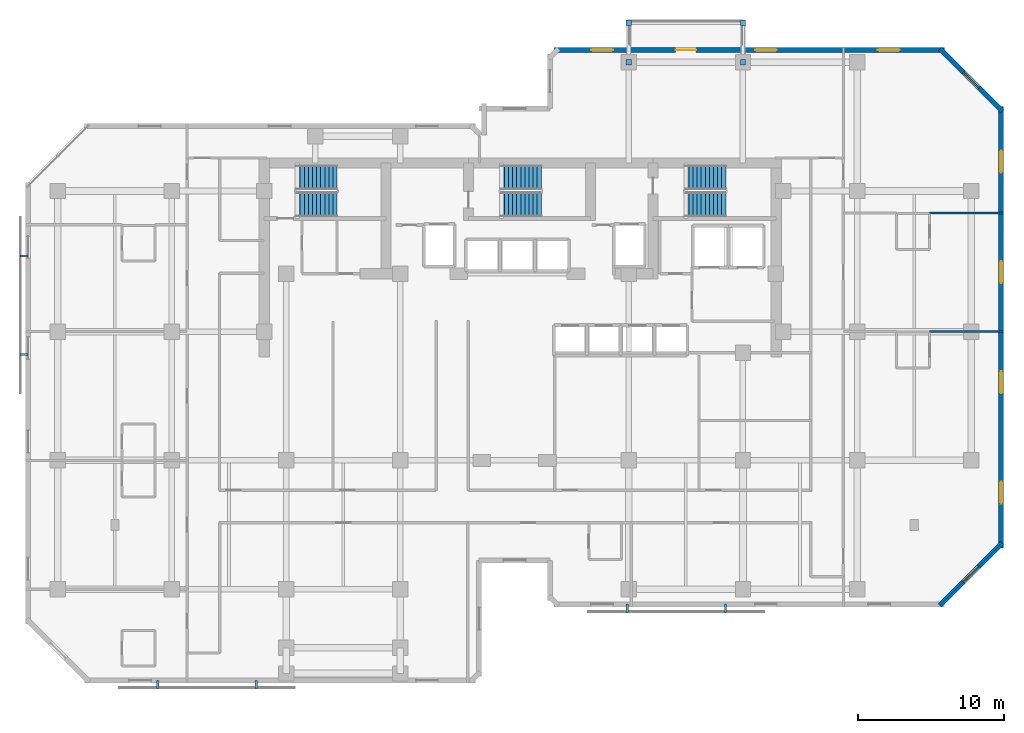
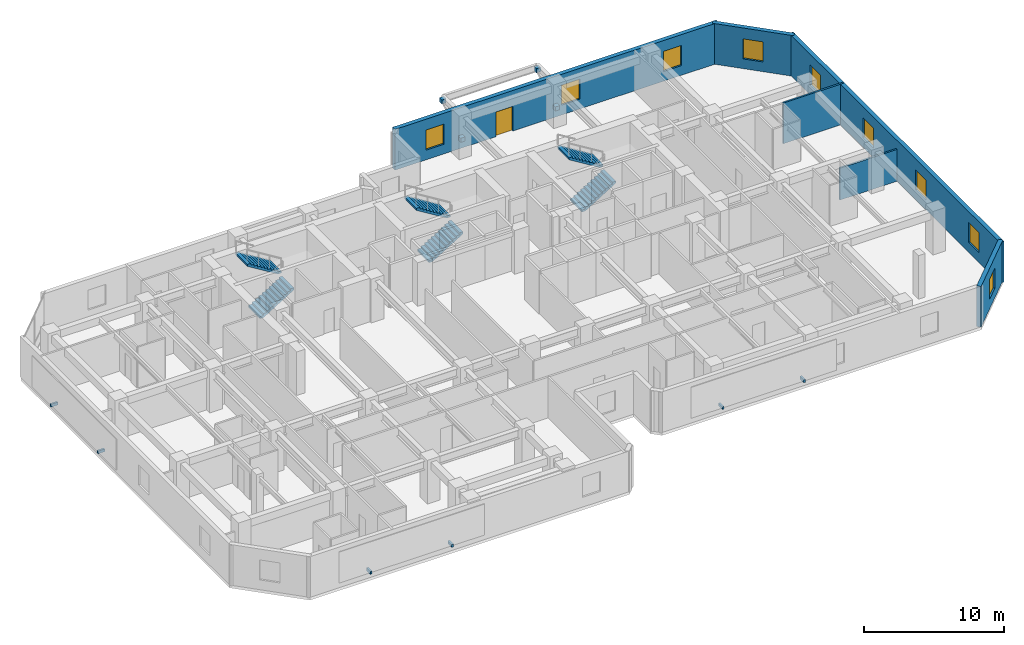
# One storey, part 8 of 10: 10 discrete accessories, 9 windows, 6 stair flights, 6 walls, 1 door, 10 openings, 3 elements without a shape of their own.
"""IFC4 building model written with IfcOpenShell, lengths in metres."""

from ifc_helpers import new_model, si_unit, direction, frame, frame_2d, origin, origin_2d, place, context, subcontext, project, spatial, polyline, rectangle, outline, extrude, material, layer, layer_set, type_object, element, fill, aggregate, save


model = new_model("IFC4")

# Units and contexts
model_context = context("Model", 3, precision=1e-05, world=origin(), true_north=direction((0.0, 1.0)))
body_context = subcontext(model_context, "Body", "Model", "MODEL_VIEW")
ifc_project = project(units=[si_unit("LENGTHUNIT", "METRE"), si_unit("AREAUNIT", "SQUARE_METRE"), si_unit("VOLUMEUNIT", "CUBIC_METRE"), si_unit("PLANEANGLEUNIT", "RADIAN"), si_unit("MASSUNIT", "GRAM", prefix="KILO")], contexts=[model_context])

# Site, building, storey
site_placement = place(None, origin())
site = spatial("IfcSite", under=ifc_project, at=site_placement, CompositionType="ELEMENT")
building_placement = place(site_placement, origin())
building = spatial("IfcBuilding", under=site, at=building_placement, Name="Kestravale Grand Hotel", CompositionType="ELEMENT")
storey_placement = place(building_placement, frame((0.0, 0.0, 149.800048828125)))
storey = spatial("IfcBuildingStorey", under=building, at=storey_placement, Name="L37", CompositionType="ELEMENT", Elevation=149.800048828125)

# Wall, opening, window
ifc_material_1 = material(Name="Precast concrete f'c 45 MPa", Category="concrete")
ifc_layer_1 = layer(ifc_material_1, 0.340087890625)
ifc_layer_set_1 = layer_set([ifc_layer_1], Name="EW-PREC-340")
wall_type_1 = type_object("IfcWallType", Name="EW-PREC-340", PredefinedType="SOLIDWALL", material=ifc_layer_set_1)
wall_1_placement = place(storey_placement, frame((68.051513671875, 10.091796875, 0.0), z_axis=(0.0, 0.0, 1.0), x_axis=(0.707106781187, 0.707106781187, 0.0)))
wall_1 = element("IfcWall", 1, at=wall_1_placement, inside=storey, type_object=wall_type_1, Name="L37 fluted precast facade wall 8", PredefinedType="SOLIDWALL", context=body_context, shape_type="SweptSolid", body=[
    extrude(rectangle(XDim=6.019775390625, YDim=0.340087890625, at=frame_2d((3.009765625, 0.0))), origin(), (0.0, 0.0, 1.0), 3.550048828125),
])
opening_1_placement = place(wall_1_placement, frame((2.260009765625, 0.0, 0.85009765625)))
opening_1 = element("IfcOpeningElement", 2, at=opening_1_placement, cuts=wall_1, Name="Opening W-GUEST-1500", PredefinedType="OPENING", context=body_context, shape_type="SweptSolid", body=[
    extrude(rectangle(XDim=1.5, YDim=1.75, at=frame_2d((0.75, 0.875))), frame((0.0, 0.179931640625, 0.0), z_axis=(0.0, -1.0, 0.0), x_axis=(1.0, 0.0, 0.0)), (0.0, 0.0, 1.0), 0.360107421875),
])
ifc_material_2 = material(Name="Insulated low-E double glazing in aluminium frame", Category="aluminium")
window_type = type_object("IfcWindowType", Name="W-GUEST-1500", PartitioningType="SINGLE_PANEL", PredefinedType="WINDOW", material=ifc_material_2)
window_1_placement = place(opening_1_placement, origin())
window_1 = element("IfcWindow", 3, at=window_1_placement, inside=storey, type_object=window_type, Name="L37 exterior window 8.1", OverallHeight=1.75, OverallWidth=1.5, PartitioningType="SINGLE_PANEL", PredefinedType="WINDOW", context=body_context, shape_type="SweptSolid", body=[
    extrude(rectangle(XDim=1.5, YDim=1.75, at=frame_2d((0.75, 0.875))), frame((0.0, 0.030029296875, 0.0), z_axis=(0.0, -1.0, 0.0), x_axis=(1.0, 0.0, 0.0)), (0.0, 0.0, 1.0), 0.06005859375),
])
fill(opening_1, window_1)

# Wall, openings, windows
wall_2_placement = place(storey_placement, frame((72.22998046875, 14.030029296875, 0.0), z_axis=(0.0, 0.0, 1.0), x_axis=(0.0, 1.0, 0.0)))
wall_2 = element("IfcWall", 4, at=wall_2_placement, inside=storey, type_object=wall_type_1, Name="L37 fluted precast facade wall 9", PredefinedType="SOLIDWALL", context=body_context, shape_type="SweptSolid", body=[
    extrude(rectangle(XDim=30.139892578125, YDim=0.340087890625, at=frame_2d((15.06982421875, 0.0))), origin(), (0.0, 0.0, 1.0), 3.550048828125),
])
opening_2_placement = place(wall_2_placement, frame((3.017578125, 0.0, 0.85009765625)))
opening_2 = element("IfcOpeningElement", 5, at=opening_2_placement, cuts=wall_2, Name="Opening W-GUEST-1500", PredefinedType="OPENING", context=body_context, shape_type="SweptSolid", body=[
    extrude(rectangle(XDim=1.5, YDim=1.75, at=frame_2d((0.75, 0.875))), frame((0.0, 0.179931640625, 0.0), z_axis=(0.0, -1.0, 0.0), x_axis=(1.0, 0.0, 0.0)), (0.0, 0.0, 1.0), 0.360107421875),
])
opening_3_placement = place(wall_2_placement, frame((10.552490234375, 0.0, 0.85009765625)))
opening_3 = element("IfcOpeningElement", 6, at=opening_3_placement, cuts=wall_2, Name="Opening W-GUEST-1500", PredefinedType="OPENING", context=body_context, shape_type="SweptSolid", body=[
    extrude(rectangle(XDim=1.5, YDim=1.75, at=frame_2d((0.75, 0.875))), frame((0.0, 0.179931640625, 0.0), z_axis=(0.0, -1.0, 0.0), x_axis=(1.0, 0.0, 0.0)), (0.0, 0.0, 1.0), 0.360107421875),
])
opening_4_placement = place(wall_2_placement, frame((18.08740234375, 0.0, 0.85009765625)))
opening_4 = element("IfcOpeningElement", 7, at=opening_4_placement, cuts=wall_2, Name="Opening W-GUEST-1500", PredefinedType="OPENING", context=body_context, shape_type="SweptSolid", body=[
    extrude(rectangle(XDim=1.5, YDim=1.75, at=frame_2d((0.75, 0.875))), frame((0.0, 0.179931640625, 0.0), z_axis=(0.0, -1.0, 0.0), x_axis=(1.0, 0.0, 0.0)), (0.0, 0.0, 1.0), 0.360107421875),
])
opening_5_placement = place(wall_2_placement, frame((25.62255859375, 0.0, 0.85009765625)))
opening_5 = element("IfcOpeningElement", 8, at=opening_5_placement, cuts=wall_2, Name="Opening W-GUEST-1500", PredefinedType="OPENING", context=body_context, shape_type="SweptSolid", body=[
    extrude(rectangle(XDim=1.5, YDim=1.75, at=frame_2d((0.75, 0.875))), frame((0.0, 0.179931640625, 0.0), z_axis=(0.0, -1.0, 0.0), x_axis=(1.0, 0.0, 0.0)), (0.0, 0.0, 1.0), 0.360107421875),
])
window_2_placement = place(opening_2_placement, origin())
window_2 = element("IfcWindow", 9, at=window_2_placement, inside=storey, type_object=window_type, Name="L37 exterior window 9.1", OverallHeight=1.75, OverallWidth=1.5, PartitioningType="SINGLE_PANEL", PredefinedType="WINDOW", context=body_context, shape_type="SweptSolid", body=[
    extrude(rectangle(XDim=1.5, YDim=1.75, at=frame_2d((0.75, 0.875))), frame((0.0, 0.030029296875, 0.0), z_axis=(0.0, -1.0, 0.0), x_axis=(1.0, 0.0, 0.0)), (0.0, 0.0, 1.0), 0.06005859375),
])
fill(opening_2, window_2)
window_3_placement = place(opening_3_placement, origin())
window_3 = element("IfcWindow", 10, at=window_3_placement, inside=storey, type_object=window_type, Name="L37 exterior window 9.2", OverallHeight=1.75, OverallWidth=1.5, PartitioningType="SINGLE_PANEL", PredefinedType="WINDOW", context=body_context, shape_type="SweptSolid", body=[
    extrude(rectangle(XDim=1.5, YDim=1.75, at=frame_2d((0.75, 0.875))), frame((0.0, 0.030029296875, 0.0), z_axis=(0.0, -1.0, 0.0), x_axis=(1.0, 0.0, 0.0)), (0.0, 0.0, 1.0), 0.06005859375),
])
fill(opening_3, window_3)
window_4_placement = place(opening_4_placement, origin())
window_4 = element("IfcWindow", 11, at=window_4_placement, inside=storey, type_object=window_type, Name="L37 exterior window 9.3", OverallHeight=1.75, OverallWidth=1.5, PartitioningType="SINGLE_PANEL", PredefinedType="WINDOW", context=body_context, shape_type="SweptSolid", body=[
    extrude(rectangle(XDim=1.5, YDim=1.75, at=frame_2d((0.75, 0.875))), frame((0.0, 0.030029296875, 0.0), z_axis=(0.0, -1.0, 0.0), x_axis=(1.0, 0.0, 0.0)), (0.0, 0.0, 1.0), 0.06005859375),
])
fill(opening_4, window_4)
window_5_placement = place(opening_5_placement, origin())
window_5 = element("IfcWindow", 12, at=window_5_placement, inside=storey, type_object=window_type, Name="L37 exterior window 9.4", OverallHeight=1.75, OverallWidth=1.5, PartitioningType="SINGLE_PANEL", PredefinedType="WINDOW", context=body_context, shape_type="SweptSolid", body=[
    extrude(rectangle(XDim=1.5, YDim=1.75, at=frame_2d((0.75, 0.875))), frame((0.0, 0.030029296875, 0.0), z_axis=(0.0, -1.0, 0.0), x_axis=(1.0, 0.0, 0.0)), (0.0, 0.0, 1.0), 0.06005859375),
])
fill(opening_5, window_5)

# Wall, opening, window
wall_3_placement = place(storey_placement, frame((72.30810546875, 43.8515625, 0.0), z_axis=(0.0, 0.0, 1.0), x_axis=(-0.707106781187, 0.707106781187, 0.0)))
wall_3 = element("IfcWall", 13, at=wall_3_placement, inside=storey, type_object=wall_type_1, Name="L37 fluted precast facade wall 10", PredefinedType="SOLIDWALL", context=body_context, shape_type="SweptSolid", body=[
    extrude(rectangle(XDim=6.019775390625, YDim=0.340087890625, at=frame_2d((3.009765625, 0.0))), origin(), (0.0, 0.0, 1.0), 3.550048828125),
])
opening_6_placement = place(wall_3_placement, frame((2.260009765625, 0.0, 0.85009765625)))
opening_6 = element("IfcOpeningElement", 14, at=opening_6_placement, cuts=wall_3, Name="Opening W-GUEST-1500", PredefinedType="OPENING", context=body_context, shape_type="SweptSolid", body=[
    extrude(rectangle(XDim=1.5, YDim=1.75, at=frame_2d((0.75, 0.875))), frame((0.0, 0.179931640625, 0.0), z_axis=(0.0, -1.0, 0.0), x_axis=(1.0, 0.0, 0.0)), (0.0, 0.0, 1.0), 0.360107421875),
])
window_6_placement = place(opening_6_placement, origin())
window_6 = element("IfcWindow", 15, at=window_6_placement, inside=storey, type_object=window_type, Name="L37 exterior window 10.1", OverallHeight=1.75, OverallWidth=1.5, PartitioningType="SINGLE_PANEL", PredefinedType="WINDOW", context=body_context, shape_type="SweptSolid", body=[
    extrude(rectangle(XDim=1.5, YDim=1.75, at=frame_2d((0.75, 0.875))), frame((0.0, 0.030029296875, 0.0), z_axis=(0.0, -1.0, 0.0), x_axis=(1.0, 0.0, 0.0)), (0.0, 0.0, 1.0), 0.06005859375),
])
fill(opening_6, window_6)

# Wall, openings, door, windows
wall_4_placement = place(storey_placement, frame((68.3701171875, 48.030029296875, 0.0), z_axis=(0.0, 0.0, 1.0), x_axis=(-1.0, 0.0, 0.0)))
wall_4 = element("IfcWall", 16, at=wall_4_placement, inside=storey, type_object=wall_type_1, Name="L37 fluted precast facade wall 11", PredefinedType="SOLIDWALL", context=body_context, shape_type="SweptSolid", body=[
    extrude(rectangle(XDim=26.690185546875, YDim=0.340087890625, at=frame_2d((13.34521484375, 0.0))), origin(), (0.0, 0.0, 1.0), 3.550048828125),
])
opening_7_placement = place(wall_4_placement, frame((16.969970703125, 0.0, 0.0)))
opening_7 = element("IfcOpeningElement", 17, at=opening_7_placement, cuts=wall_4, Name="Opening D-TERR-1400", PredefinedType="OPENING", context=body_context, shape_type="SweptSolid", body=[
    extrude(rectangle(XDim=1.39990234375, YDim=2.14990234375, at=frame_2d((0.699951171875, 1.074951171875))), frame((0.0, 0.179931640625, 0.0), z_axis=(0.0, -1.0, 0.0), x_axis=(1.0, 0.0, 0.0)), (0.0, 0.0, 1.0), 0.360107421875),
])
opening_8_placement = place(wall_4_placement, frame((3.04833984375, 0.0, 0.85009765625)))
opening_8 = element("IfcOpeningElement", 18, at=opening_8_placement, cuts=wall_4, Name="Opening W-GUEST-1500", PredefinedType="OPENING", context=body_context, shape_type="SweptSolid", body=[
    extrude(rectangle(XDim=1.5, YDim=1.75, at=frame_2d((0.75, 0.875))), frame((0.0, 0.179931640625, 0.0), z_axis=(0.0, -1.0, 0.0), x_axis=(1.0, 0.0, 0.0)), (0.0, 0.0, 1.0), 0.360107421875),
])
opening_9_placement = place(wall_4_placement, frame((11.445068359375, 0.0, 0.85009765625)))
opening_9 = element("IfcOpeningElement", 19, at=opening_9_placement, cuts=wall_4, Name="Opening W-GUEST-1500", PredefinedType="OPENING", context=body_context, shape_type="SweptSolid", body=[
    extrude(rectangle(XDim=1.5, YDim=1.75, at=frame_2d((0.75, 0.875))), frame((0.0, 0.179931640625, 0.0), z_axis=(0.0, -1.0, 0.0), x_axis=(1.0, 0.0, 0.0)), (0.0, 0.0, 1.0), 0.360107421875),
])
opening_10_placement = place(wall_4_placement, frame((22.6416015625, 0.0, 0.85009765625)))
opening_10 = element("IfcOpeningElement", 20, at=opening_10_placement, cuts=wall_4, Name="Opening W-GUEST-1500", PredefinedType="OPENING", context=body_context, shape_type="SweptSolid", body=[
    extrude(rectangle(XDim=1.5, YDim=1.75, at=frame_2d((0.75, 0.875))), frame((0.0, 0.179931640625, 0.0), z_axis=(0.0, -1.0, 0.0), x_axis=(1.0, 0.0, 0.0)), (0.0, 0.0, 1.0), 0.360107421875),
])
ifc_material_3 = material(Name="Insulated glazed champagne-bronze aluminium door", Category="aluminium")
door_type = type_object("IfcDoorType", Name="D-TERR-1400", OperationType="NOTDEFINED", PredefinedType="DOOR", material=ifc_material_3)
door_placement = place(opening_7_placement, origin())
door = element("IfcDoor", 21, at=door_placement, inside=storey, type_object=door_type, Name="L37 outdoor garden terrace door", OperationType="DOUBLE_DOOR_SINGLE_SWING", OverallHeight=2.14990234375, OverallWidth=1.39990234375, PredefinedType="DOOR", context=body_context, shape_type="SweptSolid", body=[
    extrude(rectangle(XDim=1.39990234375, YDim=2.14990234375, at=frame_2d((0.699951171875, 1.074951171875))), frame((0.0, 0.02490234375, 0.0), z_axis=(0.0, -1.0, 0.0), x_axis=(1.0, 0.0, 0.0)), (0.0, 0.0, 1.0), 0.050048828125),
])
fill(opening_7, door)
window_7_placement = place(opening_8_placement, origin())
window_7 = element("IfcWindow", 22, at=window_7_placement, inside=storey, type_object=window_type, Name="L37 exterior window 11.1", OverallHeight=1.75, OverallWidth=1.5, PartitioningType="SINGLE_PANEL", PredefinedType="WINDOW", context=body_context, shape_type="SweptSolid", body=[
    extrude(rectangle(XDim=1.5, YDim=1.75, at=frame_2d((0.75, 0.875))), frame((0.0, 0.030029296875, 0.0), z_axis=(0.0, -1.0, 0.0), x_axis=(1.0, 0.0, 0.0)), (0.0, 0.0, 1.0), 0.06005859375),
])
fill(opening_8, window_7)
window_8_placement = place(opening_9_placement, origin())
window_8 = element("IfcWindow", 23, at=window_8_placement, inside=storey, type_object=window_type, Name="L37 exterior window 11.2", OverallHeight=1.75, OverallWidth=1.5, PartitioningType="SINGLE_PANEL", PredefinedType="WINDOW", context=body_context, shape_type="SweptSolid", body=[
    extrude(rectangle(XDim=1.5, YDim=1.75, at=frame_2d((0.75, 0.875))), frame((0.0, 0.030029296875, 0.0), z_axis=(0.0, -1.0, 0.0), x_axis=(1.0, 0.0, 0.0)), (0.0, 0.0, 1.0), 0.06005859375),
])
fill(opening_9, window_8)
window_9_placement = place(opening_10_placement, origin())
window_9 = element("IfcWindow", 24, at=window_9_placement, inside=storey, type_object=window_type, Name="L37 exterior window 11.3", OverallHeight=1.75, OverallWidth=1.5, PartitioningType="SINGLE_PANEL", PredefinedType="WINDOW", context=body_context, shape_type="SweptSolid", body=[
    extrude(rectangle(XDim=1.5, YDim=1.75, at=frame_2d((0.75, 0.875))), frame((0.0, 0.030029296875, 0.0), z_axis=(0.0, -1.0, 0.0), x_axis=(1.0, 0.0, 0.0)), (0.0, 0.0, 1.0), 0.06005859375),
])
fill(opening_10, window_9)

# Walls
ifc_material_4 = material(Name="Double-stud STC 52 acoustic demising partition", Category="other")
ifc_layer_2 = layer(ifc_material_4, 0.14990234375)
ifc_layer_set_2 = layer_set([ifc_layer_2], Name="IW-UNIT-150")
wall_type_2 = type_object("IfcWallType", Name="IW-UNIT-150", PredefinedType="PARTITIONING", material=ifc_layer_set_2)
wall_5_placement = place(storey_placement, frame((67.35009765625, 28.800048828125, 0.0), z_axis=(0.0, 0.0, 1.0), x_axis=(1.0, 0.0, 0.0)))
element("IfcWall", 25, at=wall_5_placement, inside=storey, type_object=wall_type_2, Name="W-L37-EW-1", PredefinedType="PARTITIONING", context=body_context, shape_type="SweptSolid", body=[
    extrude(rectangle(XDim=5.02978515625, YDim=0.14990234375, at=frame_2d((2.514892578125, 0.0))), origin(), (0.0, 0.0, 1.0), 2.77783203125),
])
wall_6_placement = place(storey_placement, frame((67.35009765625, 36.89990234375, 0.0), z_axis=(0.0, 0.0, 1.0), x_axis=(1.0, 0.0, 0.0)))
element("IfcWall", 26, at=wall_6_placement, inside=storey, type_object=wall_type_2, Name="W-L37-EW-2", PredefinedType="PARTITIONING", context=body_context, shape_type="SweptSolid", body=[
    extrude(rectangle(XDim=5.02978515625, YDim=0.14990234375, at=frame_2d((2.514892578125, 0.0))), origin(), (0.0, 0.0, 1.0), 3.550048828125),
])

# Stair, stair flights
ifc_material_5 = material(Name="Concrete f'c 45 MPa", Category="concrete")
stair_type = type_object("IfcStairType", Name="ST-CORE-380", PredefinedType="HALF_TURN_STAIR", material=ifc_material_5)
stair_1_placement = place(storey_placement, origin())
stair_1 = element("IfcStair", 27, at=stair_1_placement, inside=storey, type_object=stair_type, Name="L37 ST-1", PredefinedType="HALF_TURN_STAIR")
ifc_material_6 = material(Name="Concrete f'c 45 MPa", Category="concrete")
stair_flight_type = type_object("IfcStairFlightType", Name="STF-CORE-380", PredefinedType="STRAIGHT", material=ifc_material_6)
stair_flight_1_placement = place(storey_placement, frame((24.080078125, 37.489990234375, 0.0), z_axis=(0.0, 0.0, 1.0), x_axis=(1.0, 0.0, 0.0)))
stair_flight_1 = element("IfcStairFlight", 28, at=stair_flight_1_placement, type_object=stair_flight_type, Name="ST-1 flight 1", NumberOfRisers=11, NumberOfTreads=10, PredefinedType="STRAIGHT", RiserHeight=0.172727273, TreadLength=0.28, context=body_context, shape_type="SweptSolid", body=[
    extrude(outline(polyline([(0.0, 0.0), (0.0, 0.172607421875), (0.280029296875, 0.172607421875), (0.280029296875, 0.345458984375), (0.56005859375, 0.345458984375), (0.56005859375, 0.51806640625), (0.840087890625, 0.51806640625), (0.840087890625, 0.69091796875), (1.1201171875, 0.69091796875), (1.1201171875, 0.863525390625), (1.39990234375, 0.863525390625), (1.39990234375, 1.036376953125), (1.679931640625, 1.036376953125), (1.679931640625, 1.208984375), (1.9599609375, 1.208984375), (1.9599609375, 1.3818359375), (2.239990234375, 1.3818359375), (2.239990234375, 1.554443359375), (2.52001953125, 1.554443359375), (2.52001953125, 1.727294921875), (2.800048828125, 1.727294921875), (2.800048828125, 1.89990234375), (2.800048828125, 1.551025390625), (0.285400390625, 0.0), (0.0, 0.0)])), frame((0.0, 0.83984375, 0.0), z_axis=(0.0, -1.0, 0.0), x_axis=(1.0, 0.0, 0.0)), (0.0, 0.0, 1.0), 1.679931640625),
])
stair_flight_2_placement = place(storey_placement, frame((26.8798828125, 39.320068359375, 1.89990234375), z_axis=(0.0, 0.0, 1.0), x_axis=(-1.0, 0.0, 0.0)))
stair_flight_2 = element("IfcStairFlight", 29, at=stair_flight_2_placement, type_object=stair_flight_type, Name="ST-1 flight 2", NumberOfRisers=11, NumberOfTreads=10, PredefinedType="STRAIGHT", RiserHeight=0.172727273, TreadLength=0.28, context=body_context, shape_type="SweptSolid", body=[
    extrude(outline(polyline([(0.0, 0.0), (0.0, 0.172607421875), (0.280029296875, 0.172607421875), (0.280029296875, 0.345458984375), (0.56005859375, 0.345458984375), (0.56005859375, 0.51806640625), (0.840087890625, 0.51806640625), (0.840087890625, 0.69091796875), (1.1201171875, 0.69091796875), (1.1201171875, 0.863525390625), (1.39990234375, 0.863525390625), (1.39990234375, 1.036376953125), (1.679931640625, 1.036376953125), (1.679931640625, 1.208984375), (1.9599609375, 1.208984375), (1.9599609375, 1.3818359375), (2.239990234375, 1.3818359375), (2.239990234375, 1.554443359375), (2.52001953125, 1.554443359375), (2.52001953125, 1.727294921875), (2.800048828125, 1.727294921875), (2.800048828125, 1.89990234375), (2.800048828125, 1.551025390625), (0.285400390625, 0.0), (0.0, 0.0)])), frame((0.0, 0.83984375, 0.0), z_axis=(0.0, -1.0, 0.0), x_axis=(1.0, 0.0, 0.0)), (0.0, 0.0, 1.0), 1.679931640625),
])
aggregate(stair_1, [stair_flight_1, stair_flight_2])

stair_2_placement = place(storey_placement, origin())
stair_2 = element("IfcStair", 30, at=stair_2_placement, inside=storey, type_object=stair_type, Name="L37 ST-2", PredefinedType="HALF_TURN_STAIR")
stair_flight_3_placement = place(storey_placement, frame((38.030029296875, 37.489990234375, 0.0), z_axis=(0.0, 0.0, 1.0), x_axis=(1.0, 0.0, 0.0)))
stair_flight_3 = element("IfcStairFlight", 31, at=stair_flight_3_placement, type_object=stair_flight_type, Name="ST-2 flight 1", NumberOfRisers=11, NumberOfTreads=10, PredefinedType="STRAIGHT", RiserHeight=0.172727273, TreadLength=0.28, context=body_context, shape_type="SweptSolid", body=[
    extrude(outline(polyline([(0.0, 0.0), (0.0, 0.172607421875), (0.280029296875, 0.172607421875), (0.280029296875, 0.345458984375), (0.56005859375, 0.345458984375), (0.56005859375, 0.51806640625), (0.840087890625, 0.51806640625), (0.840087890625, 0.69091796875), (1.1201171875, 0.69091796875), (1.1201171875, 0.863525390625), (1.39990234375, 0.863525390625), (1.39990234375, 1.036376953125), (1.679931640625, 1.036376953125), (1.679931640625, 1.208984375), (1.9599609375, 1.208984375), (1.9599609375, 1.3818359375), (2.239990234375, 1.3818359375), (2.239990234375, 1.554443359375), (2.52001953125, 1.554443359375), (2.52001953125, 1.727294921875), (2.800048828125, 1.727294921875), (2.800048828125, 1.89990234375), (2.800048828125, 1.551025390625), (0.285400390625, 0.0), (0.0, 0.0)])), frame((0.0, 0.83984375, 0.0), z_axis=(0.0, -1.0, 0.0), x_axis=(1.0, 0.0, 0.0)), (0.0, 0.0, 1.0), 1.679931640625),
])
stair_flight_4_placement = place(storey_placement, frame((40.830078125, 39.320068359375, 1.89990234375), z_axis=(0.0, 0.0, 1.0), x_axis=(-1.0, 0.0, 0.0)))
stair_flight_4 = element("IfcStairFlight", 32, at=stair_flight_4_placement, type_object=stair_flight_type, Name="ST-2 flight 2", NumberOfRisers=11, NumberOfTreads=10, PredefinedType="STRAIGHT", RiserHeight=0.172727273, TreadLength=0.28, context=body_context, shape_type="SweptSolid", body=[
    extrude(outline(polyline([(0.0, 0.0), (0.0, 0.172607421875), (0.280029296875, 0.172607421875), (0.280029296875, 0.345458984375), (0.56005859375, 0.345458984375), (0.56005859375, 0.51806640625), (0.840087890625, 0.51806640625), (0.840087890625, 0.69091796875), (1.1201171875, 0.69091796875), (1.1201171875, 0.863525390625), (1.39990234375, 0.863525390625), (1.39990234375, 1.036376953125), (1.679931640625, 1.036376953125), (1.679931640625, 1.208984375), (1.9599609375, 1.208984375), (1.9599609375, 1.3818359375), (2.239990234375, 1.3818359375), (2.239990234375, 1.554443359375), (2.52001953125, 1.554443359375), (2.52001953125, 1.727294921875), (2.800048828125, 1.727294921875), (2.800048828125, 1.89990234375), (2.800048828125, 1.551025390625), (0.285400390625, 0.0), (0.0, 0.0)])), frame((0.0, 0.83984375, 0.0), z_axis=(0.0, -1.0, 0.0), x_axis=(1.0, 0.0, 0.0)), (0.0, 0.0, 1.0), 1.679931640625),
])
aggregate(stair_2, [stair_flight_3, stair_flight_4])

stair_3_placement = place(storey_placement, origin())
stair_3 = element("IfcStair", 33, at=stair_3_placement, inside=storey, type_object=stair_type, Name="L37 ST-3", PredefinedType="HALF_TURN_STAIR")
stair_flight_5_placement = place(storey_placement, frame((50.6298828125, 37.489990234375, 0.0), z_axis=(0.0, 0.0, 1.0), x_axis=(1.0, 0.0, 0.0)))
stair_flight_5 = element("IfcStairFlight", 34, at=stair_flight_5_placement, type_object=stair_flight_type, Name="ST-3 flight 1", NumberOfRisers=11, NumberOfTreads=10, PredefinedType="STRAIGHT", RiserHeight=0.172727273, TreadLength=0.28, context=body_context, shape_type="SweptSolid", body=[
    extrude(outline(polyline([(0.0, 0.0), (0.0, 0.172607421875), (0.280029296875, 0.172607421875), (0.280029296875, 0.345458984375), (0.56005859375, 0.345458984375), (0.56005859375, 0.51806640625), (0.840087890625, 0.51806640625), (0.840087890625, 0.69091796875), (1.1201171875, 0.69091796875), (1.1201171875, 0.863525390625), (1.39990234375, 0.863525390625), (1.39990234375, 1.036376953125), (1.679931640625, 1.036376953125), (1.679931640625, 1.208984375), (1.9599609375, 1.208984375), (1.9599609375, 1.3818359375), (2.239990234375, 1.3818359375), (2.239990234375, 1.554443359375), (2.52001953125, 1.554443359375), (2.52001953125, 1.727294921875), (2.800048828125, 1.727294921875), (2.800048828125, 1.89990234375), (2.800048828125, 1.551025390625), (0.285400390625, 0.0), (0.0, 0.0)])), frame((0.0, 0.83984375, 0.0), z_axis=(0.0, -1.0, 0.0), x_axis=(1.0, 0.0, 0.0)), (0.0, 0.0, 1.0), 1.679931640625),
])
stair_flight_6_placement = place(storey_placement, frame((53.429931640625, 39.320068359375, 1.89990234375), z_axis=(0.0, 0.0, 1.0), x_axis=(-1.0, 0.0, 0.0)))
stair_flight_6 = element("IfcStairFlight", 35, at=stair_flight_6_placement, type_object=stair_flight_type, Name="ST-3 flight 2", NumberOfRisers=11, NumberOfTreads=10, PredefinedType="STRAIGHT", RiserHeight=0.172727273, TreadLength=0.28, context=body_context, shape_type="SweptSolid", body=[
    extrude(outline(polyline([(0.0, 0.0), (0.0, 0.172607421875), (0.280029296875, 0.172607421875), (0.280029296875, 0.345458984375), (0.56005859375, 0.345458984375), (0.56005859375, 0.51806640625), (0.840087890625, 0.51806640625), (0.840087890625, 0.69091796875), (1.1201171875, 0.69091796875), (1.1201171875, 0.863525390625), (1.39990234375, 0.863525390625), (1.39990234375, 1.036376953125), (1.679931640625, 1.036376953125), (1.679931640625, 1.208984375), (1.9599609375, 1.208984375), (1.9599609375, 1.3818359375), (2.239990234375, 1.3818359375), (2.239990234375, 1.554443359375), (2.52001953125, 1.554443359375), (2.52001953125, 1.727294921875), (2.800048828125, 1.727294921875), (2.800048828125, 1.89990234375), (2.800048828125, 1.551025390625), (0.285400390625, 0.0), (0.0, 0.0)])), frame((0.0, 0.83984375, 0.0), z_axis=(0.0, -1.0, 0.0), x_axis=(1.0, 0.0, 0.0)), (0.0, 0.0, 1.0), 1.679931640625),
])
aggregate(stair_3, [stair_flight_5, stair_flight_6])

# Discrete accessories
ifc_material_7 = material(Name="Steel ASTM A572 Grade 50 hot-dip galvanised bracket", Category="steel")
discrete_accessory_type = type_object("IfcDiscreteAccessoryType", Name="ACC-BRK-STL", PredefinedType="BRACKET", material=ifc_material_7)
for number, where, z_axis, x_axis, name in (
    (36, (46.800048828125, 47.199951171875, 1.19384765625), (0.0, 0.0, 1.0), (1.0, 0.0, 0.0), "L38 terrace strut column bracket 1"),
    (37, (46.800048828125, 49.89990234375, 2.89404296875), (0.0, 0.0, 1.0), (1.0, 0.0, 0.0), "L38 terrace strut beam bracket 1"),
    (38, (54.60009765625, 47.199951171875, 1.19384765625), (0.0, 0.0, 1.0), (1.0, 0.0, 0.0), "L38 terrace strut column bracket 2"),
    (39, (54.60009765625, 49.89990234375, 2.89404296875), (0.0, 0.0, 1.0), (1.0, 0.0, 0.0), "L38 terrace strut beam bracket 2"),
):
    element("IfcDiscreteAccessory", number, at=place(storey_placement, frame(where, z_axis=z_axis, x_axis=x_axis)), inside=storey, type_object=discrete_accessory_type, Name=name, PredefinedType="BRACKET", context=body_context, shape_type="SweptSolid", body=[
        extrude(rectangle(XDim=0.360107421875, YDim=0.360107421875, at=origin_2d()), origin(), (0.0, 0.0, 1.0), 0.360107421875),
    ])
for number, where, z_axis, x_axis, name in (
    (40, (14.639892578125, 4.705078125, 0.56005859375), (0.0, 0.0, 1.0), (1.0, 0.0, 0.0), "L37 solar screen standoff bracket 1"),
    (41, (21.360107421875, 4.705078125, 0.56005859375), (0.0, 0.0, 1.0), (1.0, 0.0, 0.0), "L37 solar screen standoff bracket 2"),
    (42, (46.68994140625, 9.905029296875, 0.56005859375), (0.0, 0.0, 1.0), (1.0, 0.0, 0.0), "L37 solar screen standoff bracket 1"),
    (43, (53.409912109375, 9.905029296875, 0.56005859375), (0.0, 0.0, 1.0), (1.0, 0.0, 0.0), "L37 solar screen standoff bracket 2"),
    (44, (5.5048828125, 33.9599609375, 0.56005859375), (0.0, 0.0, 1.0), (0.0, -1.0, 0.0), "L37 solar screen standoff bracket 1"),
    (45, (5.5048828125, 27.239990234375, 0.56005859375), (0.0, 0.0, 1.0), (0.0, -1.0, 0.0), "L37 solar screen standoff bracket 2"),
):
    element("IfcDiscreteAccessory", number, at=place(storey_placement, frame(where, z_axis=z_axis, x_axis=x_axis)), inside=storey, type_object=discrete_accessory_type, Name=name, PredefinedType="BRACKET", context=body_context, shape_type="SweptSolid", body=[
        extrude(rectangle(XDim=0.159912109375, YDim=0.56005859375, at=origin_2d()), origin(), (0.0, 0.0, 1.0), 0.239990234375),
    ])

save(model, "model.ifc")
